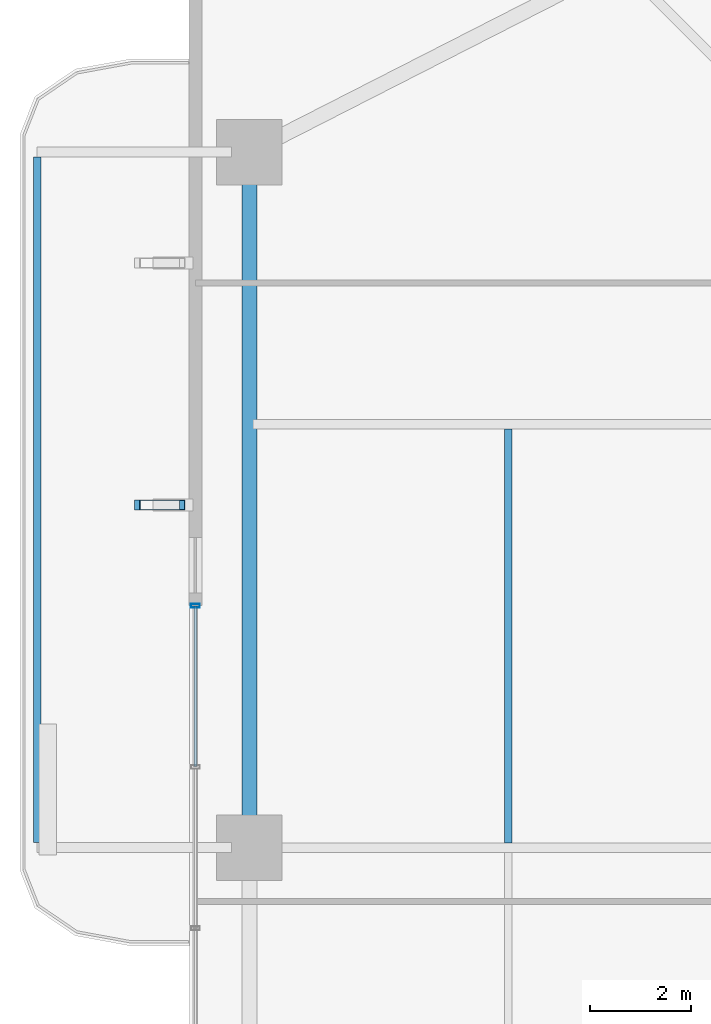
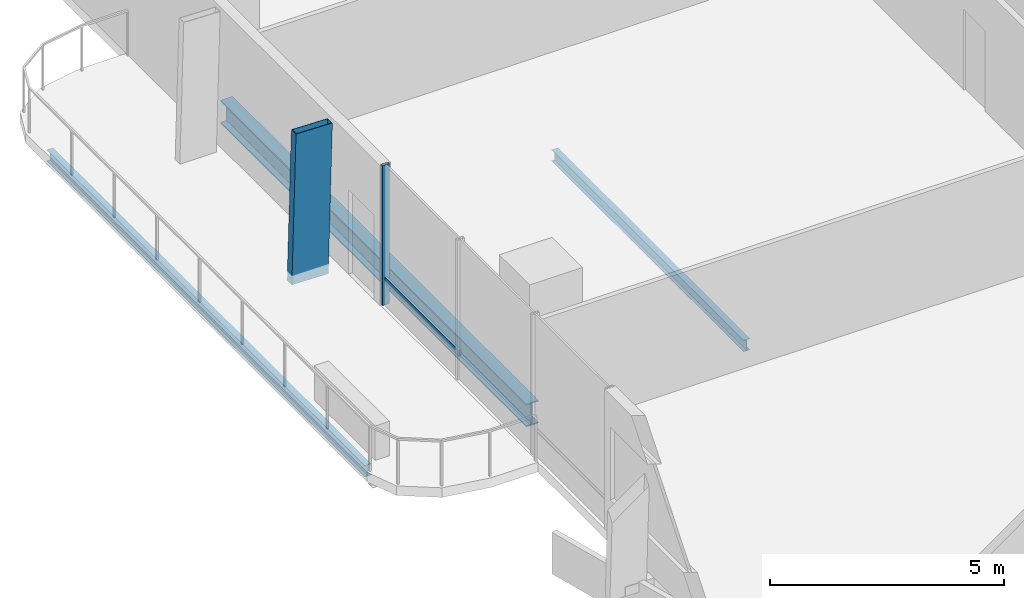
# One storey, part 9 of 23: 3 beams, 3 members, 1 element without a shape of its own.
"""IFC4 building model written with IfcOpenShell, lengths in metres."""

from ifc_helpers import new_model, si_unit, direction, frame, origin, origin_2d, place, context, subcontext, project, spatial, hollow_rectangle, i_section, extrude, material, layer, layer_set, material_profile, profile_set, type_object, element, aggregate, save


model = new_model("IFC4")

# Units and contexts
model_context = context("Model", 3, precision=1e-05, world=origin(), true_north=direction((0.0, 1.0)))
body_context = subcontext(model_context, "Body", "Model", "MODEL_VIEW")
ifc_project = project(units=[si_unit("LENGTHUNIT", "METRE"), si_unit("AREAUNIT", "SQUARE_METRE"), si_unit("VOLUMEUNIT", "CUBIC_METRE"), si_unit("PLANEANGLEUNIT", "RADIAN"), si_unit("MASSUNIT", "GRAM", prefix="KILO")], contexts=[model_context])

# Site, building, storey
site_placement = place(None, origin())
site = spatial("IfcSite", under=ifc_project, at=site_placement, CompositionType="ELEMENT")
building_placement = place(site_placement, origin())
building = spatial("IfcBuilding", under=site, at=building_placement, Name="Belovzor Exchange Tower", CompositionType="ELEMENT")
storey_placement = place(building_placement, frame((0.0, 0.0, 125.10009765625)))
storey = spatial("IfcBuildingStorey", under=building, at=storey_placement, Name="L30", CompositionType="ELEMENT", Elevation=125.10009765625)

# Beams
ifc_material_1 = material(Name="Steel S355", Category="steel")
ifc_material_profile_1 = material_profile(ifc_material_1, i_section(OverallWidth=0.14990234375, OverallDepth=0.300048828125, WebThickness=0.007080078125, FlangeThickness=0.0107421875, at=origin_2d()))
ifc_profile_set_1 = profile_set([ifc_material_profile_1], Name="Steel S355")
beam_type_1 = type_object("IfcBeamType", Name="Planted Balcony Fascia Edge Beam IPE 300", PredefinedType="BEAM", material=ifc_profile_set_1)
beam_1_placement = place(storey_placement, frame((-0.30810546875, 42.5, -0.400146484375), z_axis=(0.0, -1.0, 0.0), x_axis=(1.0, 0.0, 0.0)))
element("IfcBeam", 1, at=beam_1_placement, inside=storey, type_object=beam_type_1, Name="BC-300 Planted Balcony Fascia Edge Beam IPE 300", PredefinedType="BEAM", context=body_context, shape_type="SweptSolid", body=[
    extrude(i_section(OverallWidth=0.14990234375, OverallDepth=0.300048828125, WebThickness=0.007080078125, FlangeThickness=0.0107421875, at=origin_2d()), origin(), (0.0, 0.0, 1.0), 13.60009765625),
])
ifc_material_2 = material(Name="Steel S355", Category="steel")
ifc_material_profile_2 = material_profile(ifc_material_2, i_section(OverallWidth=0.14990234375, OverallDepth=0.300048828125, WebThickness=0.007080078125, FlangeThickness=0.0107421875, at=origin_2d()))
ifc_profile_set_2 = profile_set([ifc_material_profile_2], Name="Steel S355")
beam_type_2 = type_object("IfcBeamType", Name="Secondary Trim Floor Joist IPE 300", PredefinedType="BEAM", material=ifc_profile_set_2)
beam_2_placement = place(storey_placement, frame((9.0390625, 28.89501953125, -0.400146484375), z_axis=(0.0, 1.0, 0.0), x_axis=(-1.0, 0.0, 0.0)))
element("IfcBeam", 2, at=beam_2_placement, inside=storey, type_object=beam_type_2, Name="FJ-300 Secondary Trim Floor Joist IPE 300", PredefinedType="BEAM", context=body_context, shape_type="SweptSolid", body=[
    extrude(i_section(OverallWidth=0.14990234375, OverallDepth=0.300048828125, WebThickness=0.007080078125, FlangeThickness=0.0107421875, at=origin_2d()), origin(), (0.0, 0.0, 1.0), 8.2099609375),
])

# Member
ifc_material_3 = material(Name="Extruded Architectural Terracotta on Steel S355 Carrier", Category="masonry")
ifc_material_profile_3 = material_profile(ifc_material_3, hollow_rectangle(XDim=0.199951171875, YDim=0.89990234375, WallThickness=0.011962890625, at=origin_2d()))
ifc_profile_set_3 = profile_set([ifc_material_profile_3], Name="Extruded Architectural Terracotta on Steel S355 Carrier")
member_type_1 = type_object("IfcMemberType", Name="Sweeping Terracotta Baguette Fin Assembly 1250", PredefinedType="USERDEFINED", material=ifc_profile_set_3)
member_1_placement = place(storey_placement, frame((2.072021484375, 35.60009765625, -0.25), z_axis=(0.026408715329, 0.0, 0.999651229057), x_axis=(0.0, 1.0, 0.0)))
element("IfcMember", 3, at=member_1_placement, inside=storey, type_object=member_type_1, Name="FIN-TC125 Terracotta Facade Fin L30 W3", ObjectType="FIN", PredefinedType="USERDEFINED", context=body_context, shape_type="SweptSolid", body=[
    extrude(hollow_rectangle(XDim=0.199951171875, YDim=0.89990234375, WallThickness=0.011962890625, at=origin_2d()), origin(), (0.0, 0.0, 1.0), 3.9013671875),
])

# Curtain wall, members
ifc_material_4 = material(Name="Anodised Aluminium Framing", Category="aluminium")
ifc_layer = layer(ifc_material_4, 0.179931640625)
ifc_layer_set = layer_set([ifc_layer], Name="Anodised Aluminium Framing")
curtain_wall_type = type_object("IfcCurtainWallType", Name="Recessed Loggia Low-Iron Triple-Glazed Curtain Wall", PredefinedType="NOTDEFINED", material=ifc_layer_set)
curtain_wall_placement = place(storey_placement, origin())
curtain_wall = element("IfcCurtainWall", 4, at=curtain_wall_placement, inside=storey, type_object=curtain_wall_type, Name="CW3 Recessed Loggia Low-Iron Triple-Glazed Curtain Wall L30", PredefinedType="NOTDEFINED")
ifc_material_5 = material(Name="Steel S355", Category="steel")
ifc_material_profile_4 = material_profile(ifc_material_5, hollow_rectangle(XDim=0.074951171875, YDim=0.179931640625, WallThickness=0.0048828125, at=origin_2d()))
ifc_profile_set_4 = profile_set([ifc_material_profile_4], Name="Steel S355")
member_type_2 = type_object("IfcMemberType", Name="Thermally Broken Curtain Wall Mullion 180x75", PredefinedType="MULLION", material=ifc_profile_set_4)
member_2_placement = place(storey_placement, frame((2.830078125, 33.60009765625, 0.0), z_axis=(0.0, 0.0, 1.0), x_axis=(0.0, 1.0, 0.0)))
member_2 = element("IfcMember", 5, at=member_2_placement, type_object=member_type_2, Name="CW-M180 Curtain Wall Mullion 4", PredefinedType="MULLION", context=body_context, shape_type="SweptSolid", body=[
    extrude(hollow_rectangle(XDim=0.074951171875, YDim=0.179931640625, WallThickness=0.0048828125, at=origin_2d()), origin(), (0.0, 0.0, 1.0), 3.64990234375),
])
ifc_material_6 = material(Name="Steel S355", Category="steel")
ifc_material_profile_5 = material_profile(ifc_material_6, hollow_rectangle(XDim=0.06005859375, YDim=0.14990234375, WallThickness=0.00390625, at=origin_2d()))
ifc_profile_set_5 = profile_set([ifc_material_profile_5], Name="Steel S355")
member_type_3 = type_object("IfcMemberType", Name="Thermally Broken Curtain Wall Transom 150x60", PredefinedType="USERDEFINED", material=ifc_profile_set_5)
member_3_placement = place(storey_placement, frame((2.830078125, 30.407958984375, 0.64990234375), z_axis=(0.0, 1.0, 0.0), x_axis=(-1.0, 0.0, 0.0)))
member_3 = element("IfcMember", 6, at=member_3_placement, type_object=member_type_3, Name="CW-T150 Curtain Wall Transom 3", ObjectType="TRANSOM", PredefinedType="USERDEFINED", context=body_context, shape_type="SweptSolid", body=[
    extrude(hollow_rectangle(XDim=0.06005859375, YDim=0.14990234375, WallThickness=0.00390625, at=origin_2d()), origin(), (0.0, 0.0, 1.0), 3.18408203125),
])
aggregate(curtain_wall, [member_2, member_3])

# Beam
ifc_material_7 = material(Name="Steel S355", Category="steel")
ifc_material_profile_6 = material_profile(ifc_material_7, i_section(OverallWidth=0.300048828125, OverallDepth=0.60009765625, WebThickness=0.015380859375, FlangeThickness=0.030029296875, at=origin_2d()))
ifc_profile_set_6 = profile_set([ifc_material_profile_6], Name="Steel S355")
beam_type_3 = type_object("IfcBeamType", Name="Zone 2 Primary Perimeter Girder HEB 600", PredefinedType="BEAM", material=ifc_profile_set_6)
beam_3_placement = place(storey_placement, frame((3.89990234375, 42.241943359375, -0.550048828125), z_axis=(0.0, -1.0, 0.0), x_axis=(1.0, 0.0, 0.0)))
element("IfcBeam", 7, at=beam_3_placement, inside=storey, type_object=beam_type_3, Name="FG-Z2 Zone 2 Primary Perimeter Girder HEB 600", PredefinedType="BEAM", context=body_context, shape_type="SweptSolid", body=[
    extrude(i_section(OverallWidth=0.300048828125, OverallDepth=0.60009765625, WebThickness=0.015380859375, FlangeThickness=0.030029296875, at=origin_2d()), origin(), (0.0, 0.0, 1.0), 13.083984375),
])

save(model, "model.ifc")
